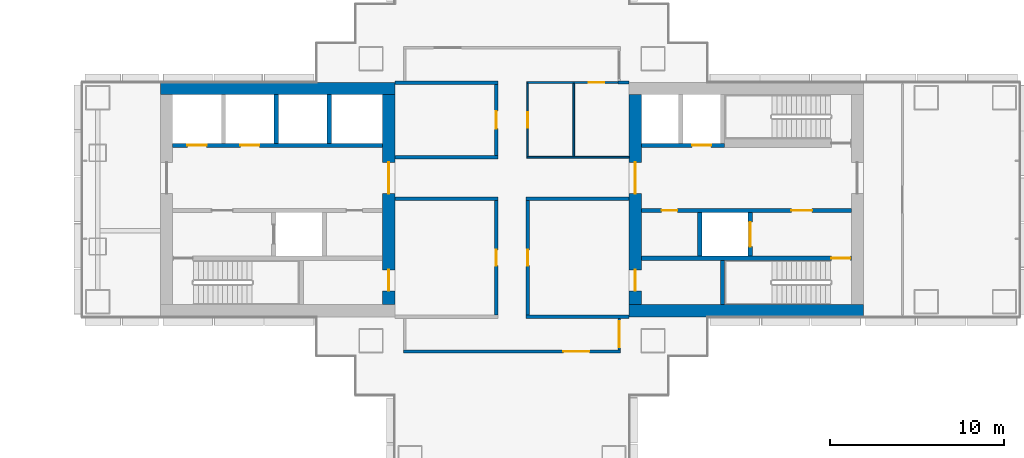
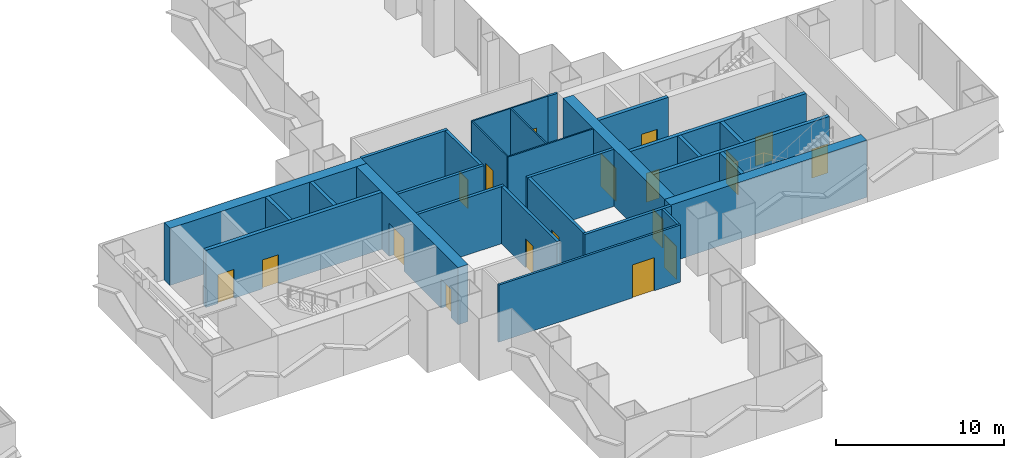
# One storey, part 16 of 22: 28 walls, 18 doors, 18 openings.
"""IFC4 building model written with IfcOpenShell, lengths in metres."""

from ifc_helpers import new_model, si_unit, direction, frame, frame_2d, origin, place, context, subcontext, project, spatial, rectangle, extrude, material, layer, layer_set, type_object, element, fill, save


model = new_model("IFC4")

# Units and contexts
model_context = context("Model", 3, precision=1e-05, world=origin(), true_north=direction((0.0, 1.0)))
body_context = subcontext(model_context, "Body", "Model", "MODEL_VIEW")
ifc_project = project(units=[si_unit("LENGTHUNIT", "METRE"), si_unit("AREAUNIT", "SQUARE_METRE"), si_unit("VOLUMEUNIT", "CUBIC_METRE"), si_unit("PLANEANGLEUNIT", "RADIAN"), si_unit("MASSUNIT", "GRAM", prefix="KILO")], contexts=[model_context])

# Site, building, storey
site_placement = place(None, origin())
site = spatial("IfcSite", under=ifc_project, at=site_placement, CompositionType="ELEMENT")
building_placement = place(site_placement, origin())
building = spatial("IfcBuilding", under=site, at=building_placement, Name="Shamsa Quay Exchange Towers", CompositionType="ELEMENT")
storey_placement = place(building_placement, frame((0.0, 0.0, 33.0)))
storey = spatial("IfcBuildingStorey", under=building, at=storey_placement, Name="L06", CompositionType="ELEMENT", Elevation=33.0)

# Wall
ifc_material_1 = material(Name="Concrete C80/95", Category="concrete")
ifc_layer_1 = layer(ifc_material_1, 0.699951171875)
ifc_layer_set_1 = layer_set([ifc_layer_1], Name="CORE WALL 700 C80/95")
wall_type_1 = type_object("IfcWallType", Name="CORE WALL 700 C80/95", PredefinedType="SHEAR", material=ifc_layer_set_1)
wall_1_placement = place(storey_placement, frame((13.5, 6.39990234375, 0.0)))
element("IfcWall", 1, at=wall_1_placement, inside=storey, type_object=wall_type_1, Name="Core wall T2A-R02-PN", PredefinedType="SHEAR", context=body_context, shape_type="SweptSolid", body=[
    extrude(rectangle(XDim=13.5, YDim=0.699951171875, at=frame_2d((6.75, 0.0))), origin(), (0.0, 0.0, 1.0), 4.14990234375),
])

# Wall, openings, doors
wall_2_placement = place(storey_placement, frame((26.64990234375, 6.050048828125, 0.0), z_axis=(0.0, 0.0, 1.0), x_axis=(0.0, -1.0, 0.0)))
wall_2 = element("IfcWall", 2, at=wall_2_placement, inside=storey, type_object=wall_type_1, Name="Core wall T2A-R02-PB", PredefinedType="SHEAR", context=body_context, shape_type="SweptSolid", body=[
    extrude(rectangle(XDim=12.10009765625, YDim=0.699951171875, at=frame_2d((6.050048828125, 0.0))), origin(), (0.0, 0.0, 1.0), 4.14990234375),
])
opening_1_placement = place(wall_2_placement, frame((10.10009765625, 0.0, 0.0)))
opening_1 = element("IfcOpeningElement", 3, at=opening_1_placement, cuts=wall_2, Name="Opening T2A-R02-RD02", PredefinedType="OPENING", context=body_context, shape_type="SweptSolid", body=[
    extrude(rectangle(XDim=1.199951171875, YDim=2.10009765625, at=frame_2d((0.60009765625, 1.050048828125))), frame((0.0, 0.35986328125, 0.0), z_axis=(0.0, -1.0, 0.0), x_axis=(1.0, 0.0, 0.0)), (0.0, 0.0, 1.0), 0.719970703125),
])
opening_2_placement = place(wall_2_placement, frame((3.89990234375, 0.0, 0.0)))
opening_2 = element("IfcOpeningElement", 4, at=opening_2_placement, cuts=wall_2, Name="Opening T2A-R02-LBD03", PredefinedType="OPENING", context=body_context, shape_type="SweptSolid", body=[
    extrude(rectangle(XDim=1.800048828125, YDim=2.39990234375, at=frame_2d((0.89990234375, 1.199951171875))), frame((0.0, 0.35986328125, 0.0), z_axis=(0.0, -1.0, 0.0), x_axis=(1.0, 0.0, 0.0)), (0.0, 0.0, 1.0), 0.719970703125),
])
ifc_material_2 = material(Name="Steel, fire rated", Category="steel")
door_type_1 = type_object("IfcDoorType", Name="LIFT LOBBY DOOR PAIR 1800", OperationType="DOUBLE_DOOR_SINGLE_SWING", PredefinedType="DOOR", material=ifc_material_2)
door_1_placement = place(opening_2_placement, origin())
door_1 = element("IfcDoor", 5, at=door_1_placement, inside=storey, type_object=door_type_1, Name="T2A-R02-LBD03", OperationType="DOUBLE_DOOR_SINGLE_SWING", OverallHeight=2.39990234375, OverallWidth=1.800048828125, PredefinedType="DOOR", context=body_context, shape_type="SweptSolid", body=[
    extrude(rectangle(XDim=1.800048828125, YDim=2.39990234375, at=frame_2d((0.89990234375, 1.199951171875))), frame((0.0, 0.02490234375, 0.0), z_axis=(0.0, -1.0, 0.0), x_axis=(1.0, 0.0, 0.0)), (0.0, 0.0, 1.0), 0.050048828125),
])
fill(opening_2, door_1)
door_type_2 = type_object("IfcDoorType", Name="RISER ACCESS DOOR 1200", OperationType="SINGLE_SWING_LEFT", PredefinedType="DOOR", material=ifc_material_2)
door_2_placement = place(opening_1_placement, origin())
door_2 = element("IfcDoor", 6, at=door_2_placement, inside=storey, type_object=door_type_2, Name="T2A-R02-RD02", OperationType="SINGLE_SWING_RIGHT", OverallHeight=2.10009765625, OverallWidth=1.199951171875, PredefinedType="DOOR", context=body_context, shape_type="SweptSolid", body=[
    extrude(rectangle(XDim=1.199951171875, YDim=2.10009765625, at=frame_2d((0.60009765625, 1.050048828125))), frame((0.0, 0.02490234375, 0.0), z_axis=(0.0, -1.0, 0.0), x_axis=(1.0, 0.0, 0.0)), (0.0, 0.0, 1.0), 0.050048828125),
])
fill(opening_1, door_2)

# Wall
wall_3_placement = place(storey_placement, frame((54.0, -6.39990234375, 0.0), z_axis=(0.0, 0.0, 1.0), x_axis=(-1.0, 0.0, 0.0)))
element("IfcWall", 7, at=wall_3_placement, inside=storey, type_object=wall_type_1, Name="Core wall T2B-R02-PS", PredefinedType="SHEAR", context=body_context, shape_type="SweptSolid", body=[
    extrude(rectangle(XDim=13.5, YDim=0.699951171875, at=frame_2d((6.75, 0.0))), origin(), (0.0, 0.0, 1.0), 4.14990234375),
])

# Wall, openings, doors
wall_4_placement = place(storey_placement, frame((40.85009765625, -6.050048828125, 0.0), z_axis=(0.0, 0.0, 1.0), x_axis=(0.0, 1.0, 0.0)))
wall_4 = element("IfcWall", 8, at=wall_4_placement, inside=storey, type_object=wall_type_1, Name="Core wall T2B-R02-PB", PredefinedType="SHEAR", context=body_context, shape_type="SweptSolid", body=[
    extrude(rectangle(XDim=12.10009765625, YDim=0.699951171875, at=frame_2d((6.050048828125, 0.0))), origin(), (0.0, 0.0, 1.0), 4.14990234375),
])
opening_3_placement = place(wall_4_placement, frame((0.800048828125, 0.0, 0.0)))
opening_3 = element("IfcOpeningElement", 9, at=opening_3_placement, cuts=wall_4, Name="Opening T2B-R02-RD02", PredefinedType="OPENING", context=body_context, shape_type="SweptSolid", body=[
    extrude(rectangle(XDim=1.199951171875, YDim=2.10009765625, at=frame_2d((0.60009765625, 1.050048828125))), frame((0.0, 0.35986328125, 0.0), z_axis=(0.0, -1.0, 0.0), x_axis=(1.0, 0.0, 0.0)), (0.0, 0.0, 1.0), 0.719970703125),
])
opening_4_placement = place(wall_4_placement, frame((6.39990234375, 0.0, 0.0)))
opening_4 = element("IfcOpeningElement", 10, at=opening_4_placement, cuts=wall_4, Name="Opening T2B-R02-LBD03", PredefinedType="OPENING", context=body_context, shape_type="SweptSolid", body=[
    extrude(rectangle(XDim=1.800048828125, YDim=2.39990234375, at=frame_2d((0.89990234375, 1.199951171875))), frame((0.0, 0.35986328125, 0.0), z_axis=(0.0, -1.0, 0.0), x_axis=(1.0, 0.0, 0.0)), (0.0, 0.0, 1.0), 0.719970703125),
])
door_3_placement = place(opening_4_placement, origin())
door_3 = element("IfcDoor", 11, at=door_3_placement, inside=storey, type_object=door_type_1, Name="T2B-R02-LBD03", OperationType="DOUBLE_DOOR_SINGLE_SWING", OverallHeight=2.39990234375, OverallWidth=1.800048828125, PredefinedType="DOOR", context=body_context, shape_type="SweptSolid", body=[
    extrude(rectangle(XDim=1.800048828125, YDim=2.39990234375, at=frame_2d((0.89990234375, 1.199951171875))), frame((0.0, 0.02490234375, 0.0), z_axis=(0.0, -1.0, 0.0), x_axis=(1.0, 0.0, 0.0)), (0.0, 0.0, 1.0), 0.050048828125),
])
fill(opening_4, door_3)
door_4_placement = place(opening_3_placement, origin())
door_4 = element("IfcDoor", 12, at=door_4_placement, inside=storey, type_object=door_type_2, Name="T2B-R02-RD02", OperationType="SINGLE_SWING_LEFT", OverallHeight=2.10009765625, OverallWidth=1.199951171875, PredefinedType="DOOR", context=body_context, shape_type="SweptSolid", body=[
    extrude(rectangle(XDim=1.199951171875, YDim=2.10009765625, at=frame_2d((0.60009765625, 1.050048828125))), frame((0.0, 0.02490234375, 0.0), z_axis=(0.0, -1.0, 0.0), x_axis=(1.0, 0.0, 0.0)), (0.0, 0.0, 1.0), 0.050048828125),
])
fill(opening_3, door_4)

# Wall
ifc_material_3 = material(Name="Gypsum board partition on metal studs")
ifc_layer_2 = layer(ifc_material_3, 0.10009765625)
ifc_layer_set_2 = layer_set([ifc_layer_2], Name="Partition 100 mm NOT RATED")
wall_type_2 = type_object("IfcWallType", Name="Partition 100 mm NOT RATED", PredefinedType="PARTITIONING", material=ifc_layer_set_2)
wall_5_placement = place(storey_placement, frame((34.600341796875, 2.4501953125, 0.0)))
element("IfcWall", 13, at=wall_5_placement, inside=storey, type_object=wall_type_2, Name="Partition T2-R02-W09", PredefinedType="PARTITIONING", context=body_context, shape_type="SweptSolid", body=[
    extrude(rectangle(XDim=5.899658203125, YDim=0.10009765625, at=frame_2d((2.94970703125, 0.0))), origin(), (0.0, 0.0, 1.0), 4.14990234375),
])

# Wall, opening, door
wall_6_placement = place(storey_placement, frame((39.999755859375, 6.75, 0.0), z_axis=(0.0, 0.0, 1.0), x_axis=(-1.0, 0.0, 0.0)))
wall_6 = element("IfcWall", 14, at=wall_6_placement, inside=storey, type_object=wall_type_2, Name="Partition T2-R02-W10", PredefinedType="PARTITIONING", context=body_context, shape_type="SweptSolid", body=[
    extrude(rectangle(XDim=5.3994140625, YDim=0.10009765625, at=frame_2d((2.69970703125, 0.0))), origin(), (0.0, 0.0, 1.0), 4.14990234375),
])
opening_5_placement = place(wall_6_placement, frame((0.93115234375, 0.0, 0.0)))
opening_5 = element("IfcOpeningElement", 15, at=opening_5_placement, cuts=wall_6, Name="Opening T2-R02-D07", PredefinedType="OPENING", context=body_context, shape_type="SweptSolid", body=[
    extrude(rectangle(XDim=0.89990234375, YDim=2.10009765625, at=frame_2d((0.449951171875, 1.050048828125))), frame((0.0, 0.06005859375, 0.0), z_axis=(0.0, -1.0, 0.0), x_axis=(1.0, 0.0, 0.0)), (0.0, 0.0, 1.0), 0.1201171875),
])
ifc_material_4 = material(Name="Timber door leaf in a metal frame", Category="wood")
door_type_3 = type_object("IfcDoorType", Name="Door 900x2100 NOT RATED", OperationType="NOTDEFINED", PredefinedType="DOOR", material=ifc_material_4)
door_5_placement = place(opening_5_placement, origin())
door_5 = element("IfcDoor", 16, at=door_5_placement, inside=storey, type_object=door_type_3, Name="Door T2-R02-D07", OperationType="SINGLE_SWING_RIGHT", OverallHeight=2.10009765625, OverallWidth=0.89990234375, PredefinedType="DOOR", context=body_context, shape_type="SweptSolid", body=[
    extrude(rectangle(XDim=0.89990234375, YDim=2.10009765625, at=frame_2d((0.449951171875, 1.050048828125))), frame((0.0, 0.02490234375, 0.0), z_axis=(0.0, -1.0, 0.0), x_axis=(1.0, 0.0, 0.0)), (0.0, 0.0, 1.0), 0.050048828125),
])
fill(opening_5, door_5)

wall_7_placement = place(storey_placement, frame((34.650390625, 6.699951171875, 0.0), z_axis=(0.0, 0.0, 1.0), x_axis=(0.0, -1.0, 0.0)))
wall_7 = element("IfcWall", 17, at=wall_7_placement, inside=storey, type_object=wall_type_2, Name="Partition T2-R02-W11", PredefinedType="PARTITIONING", context=body_context, shape_type="SweptSolid", body=[
    extrude(rectangle(XDim=4.19970703125, YDim=0.10009765625, at=frame_2d((2.099853515625, 0.0))), origin(), (0.0, 0.0, 1.0), 4.14990234375),
])
opening_6_placement = place(wall_7_placement, frame((1.64990234375, 0.0, 0.0)))
opening_6 = element("IfcOpeningElement", 18, at=opening_6_placement, cuts=wall_7, Name="Opening T2-R02-D06", PredefinedType="OPENING", context=body_context, shape_type="SweptSolid", body=[
    extrude(rectangle(XDim=0.89990234375, YDim=2.10009765625, at=frame_2d((0.449951171875, 1.050048828125))), frame((0.0, 0.06005859375, 0.0), z_axis=(0.0, -1.0, 0.0), x_axis=(1.0, 0.0, 0.0)), (0.0, 0.0, 1.0), 0.1201171875),
])
door_6_placement = place(opening_6_placement, origin())
door_6 = element("IfcDoor", 19, at=door_6_placement, inside=storey, type_object=door_type_3, Name="Door T2-R02-D06", OperationType="SINGLE_SWING_RIGHT", OverallHeight=2.10009765625, OverallWidth=0.89990234375, PredefinedType="DOOR", context=body_context, shape_type="SweptSolid", body=[
    extrude(rectangle(XDim=0.89990234375, YDim=2.10009765625, at=frame_2d((0.449951171875, 1.050048828125))), frame((0.0, 0.02490234375, 0.0), z_axis=(0.0, -1.0, 0.0), x_axis=(1.0, 0.0, 0.0)), (0.0, 0.0, 1.0), 0.050048828125),
])
fill(opening_6, door_6)

# Wall
wall_8_placement = place(storey_placement, frame((37.3125, 6.699951171875, 0.0), z_axis=(0.0, 0.0, 1.0), x_axis=(0.0, -1.0, 0.0)))
element("IfcWall", 20, at=wall_8_placement, inside=storey, type_object=wall_type_2, Name="Partition T2-R02-W20", PredefinedType="PARTITIONING", context=body_context, shape_type="SweptSolid", body=[
    extrude(rectangle(XDim=4.19970703125, YDim=0.10009765625, at=frame_2d((2.099853515625, 0.0))), origin(), (0.0, 0.0, 1.0), 4.14990234375),
])

# Wall, opening, door
ifc_layer_3 = layer(ifc_material_3, 0.14990234375)
ifc_layer_set_3 = layer_set([ifc_layer_3], Name="Partition 150 mm EI 60")
wall_type_3 = type_object("IfcWallType", Name="Partition 150 mm EI 60", PredefinedType="PARTITIONING", material=ifc_layer_set_3)
wall_9_placement = place(storey_placement, frame((39.9248046875, -8.675048828125, 0.0), z_axis=(0.0, 0.0, 1.0), x_axis=(0.0, 1.0, 0.0)))
wall_9 = element("IfcWall", 21, at=wall_9_placement, inside=storey, type_object=wall_type_3, Name="Partition T2-R02-W14", PredefinedType="PARTITIONING", context=body_context, shape_type="SweptSolid", body=[
    extrude(rectangle(XDim=1.824951171875, YDim=0.14990234375, at=frame_2d((0.91259765625, 0.0))), origin(), (0.0, 0.0, 1.0), 4.14990234375),
])
opening_7_placement = place(wall_9_placement, frame((0.175048828125, 0.0, 0.0)))
opening_7 = element("IfcOpeningElement", 22, at=opening_7_placement, cuts=wall_9, Name="Opening T2-R02-D03", PredefinedType="OPENING", context=body_context, shape_type="SweptSolid", body=[
    extrude(rectangle(XDim=1.5, YDim=2.39990234375, at=frame_2d((0.75, 1.199951171875))), frame((0.0, 0.0849609375, 0.0), z_axis=(0.0, -1.0, 0.0), x_axis=(1.0, 0.0, 0.0)), (0.0, 0.0, 1.0), 0.169921875),
])
door_type_4 = type_object("IfcDoorType", Name="Door 1500x2400 FD30S pair", OperationType="NOTDEFINED", PredefinedType="DOOR", material=ifc_material_4)
door_7_placement = place(opening_7_placement, origin())
door_7 = element("IfcDoor", 23, at=door_7_placement, inside=storey, type_object=door_type_4, Name="Door T2-R02-D03", OperationType="DOUBLE_DOOR_SINGLE_SWING", OverallHeight=2.39990234375, OverallWidth=1.5, PredefinedType="DOOR", context=body_context, shape_type="SweptSolid", body=[
    extrude(rectangle(XDim=1.5, YDim=2.39990234375, at=frame_2d((0.75, 1.199951171875))), frame((0.0, 0.02490234375, 0.0), z_axis=(0.0, -1.0, 0.0), x_axis=(1.0, 0.0, 0.0)), (0.0, 0.0, 1.0), 0.050048828125),
])
fill(opening_7, door_7)

wall_10_placement = place(storey_placement, frame((27.500244140625, -8.75, 0.0)))
wall_10 = element("IfcWall", 24, at=wall_10_placement, inside=storey, type_object=wall_type_3, Name="Partition T2-R02-W18", PredefinedType="PARTITIONING", context=body_context, shape_type="SweptSolid", body=[
    extrude(rectangle(XDim=12.49951171875, YDim=0.14990234375, at=frame_2d((6.249755859375, 0.0))), origin(), (0.0, 0.0, 1.0), 4.14990234375),
])
opening_8_placement = place(wall_10_placement, frame((9.20458984375, 0.0, 0.0)))
opening_8 = element("IfcOpeningElement", 25, at=opening_8_placement, cuts=wall_10, Name="Opening T2-R02-D02", PredefinedType="OPENING", context=body_context, shape_type="SweptSolid", body=[
    extrude(rectangle(XDim=1.5, YDim=2.39990234375, at=frame_2d((0.75, 1.199951171875))), frame((0.0, 0.0849609375, 0.0), z_axis=(0.0, -1.0, 0.0), x_axis=(1.0, 0.0, 0.0)), (0.0, 0.0, 1.0), 0.169921875),
])
door_8_placement = place(opening_8_placement, origin())
door_8 = element("IfcDoor", 26, at=door_8_placement, inside=storey, type_object=door_type_4, Name="Door T2-R02-D02", OperationType="DOUBLE_DOOR_SINGLE_SWING", OverallHeight=2.39990234375, OverallWidth=1.5, PredefinedType="DOOR", context=body_context, shape_type="SweptSolid", body=[
    extrude(rectangle(XDim=1.5, YDim=2.39990234375, at=frame_2d((0.75, 1.199951171875))), frame((0.0, 0.02490234375, 0.0), z_axis=(0.0, -1.0, 0.0), x_axis=(1.0, 0.0, 0.0)), (0.0, 0.0, 1.0), 0.050048828125),
])
fill(opening_8, door_8)

# Walls
wall_11_placement = place(storey_placement, frame((40.5, 6.75, 0.0), z_axis=(0.0, 0.0, 1.0), x_axis=(-1.0, 0.0, 0.0)))
element("IfcWall", 27, at=wall_11_placement, inside=storey, type_object=wall_type_3, Name="Partition T2-R02-W21", PredefinedType="PARTITIONING", context=body_context, shape_type="SweptSolid", body=[
    extrude(rectangle(XDim=0.650146484375, YDim=0.14990234375, at=frame_2d((0.3251953125, 0.0))), origin(), (0.0, 0.0, 1.0), 4.14990234375),
])
ifc_layer_4 = layer(ifc_material_3, 0.199951171875)
ifc_layer_set_4 = layer_set([ifc_layer_4], Name="Partition 200 mm EI 120")
wall_type_4 = type_object("IfcWallType", Name="Partition 200 mm EI 120", PredefinedType="PARTITIONING", material=ifc_layer_set_4)
wall_12_placement = place(storey_placement, frame((32.94970703125, 6.75, 0.0), z_axis=(0.0, 0.0, 1.0), x_axis=(-1.0, 0.0, 0.0)))
element("IfcWall", 28, at=wall_12_placement, inside=storey, type_object=wall_type_4, Name="Partition T2-R02-W01", PredefinedType="PARTITIONING", context=body_context, shape_type="SweptSolid", body=[
    extrude(rectangle(XDim=5.94970703125, YDim=0.199951171875, at=frame_2d((2.974853515625, 0.0))), origin(), (0.0, 0.0, 1.0), 4.14990234375),
])

# Wall, opening, door
wall_13_placement = place(storey_placement, frame((32.849609375, 2.55029296875, 0.0), z_axis=(0.0, 0.0, 1.0), x_axis=(0.0, 1.0, 0.0)))
wall_13 = element("IfcWall", 29, at=wall_13_placement, inside=storey, type_object=wall_type_4, Name="Partition T2-R02-W02", PredefinedType="PARTITIONING", context=body_context, shape_type="SweptSolid", body=[
    extrude(rectangle(XDim=4.099609375, YDim=0.199951171875, at=frame_2d((2.0498046875, 0.0))), origin(), (0.0, 0.0, 1.0), 4.14990234375),
])
opening_9_placement = place(wall_13_placement, frame((1.5498046875, 0.0, 0.0)))
opening_9 = element("IfcOpeningElement", 30, at=opening_9_placement, cuts=wall_13, Name="Opening T2-R02-D09", PredefinedType="OPENING", context=body_context, shape_type="SweptSolid", body=[
    extrude(rectangle(XDim=1.0, YDim=2.10009765625, at=frame_2d((0.5, 1.050048828125))), frame((0.0, 0.10986328125, 0.0), z_axis=(0.0, -1.0, 0.0), x_axis=(1.0, 0.0, 0.0)), (0.0, 0.0, 1.0), 0.219970703125),
])
door_type_5 = type_object("IfcDoorType", Name="Door 1000x2100 FD60", OperationType="NOTDEFINED", PredefinedType="DOOR", material=ifc_material_4)
door_9_placement = place(opening_9_placement, origin())
door_9 = element("IfcDoor", 31, at=door_9_placement, inside=storey, type_object=door_type_5, Name="Door T2-R02-D09", OperationType="SINGLE_SWING_RIGHT", OverallHeight=2.10009765625, OverallWidth=1.0, PredefinedType="DOOR", context=body_context, shape_type="SweptSolid", body=[
    extrude(rectangle(XDim=1.0, YDim=2.10009765625, at=frame_2d((0.5, 1.050048828125))), frame((0.0, 0.02490234375, 0.0), z_axis=(0.0, -1.0, 0.0), x_axis=(1.0, 0.0, 0.0)), (0.0, 0.0, 1.0), 0.050048828125),
])
fill(opening_9, door_9)

wall_14_placement = place(storey_placement, frame((32.849609375, -6.64990234375, 0.0), z_axis=(0.0, 0.0, 1.0), x_axis=(0.0, 1.0, 0.0)))
wall_14 = element("IfcWall", 32, at=wall_14_placement, inside=storey, type_object=wall_type_4, Name="Partition T2-R02-W03", PredefinedType="PARTITIONING", context=body_context, shape_type="SweptSolid", body=[
    extrude(rectangle(XDim=6.599609375, YDim=0.199951171875, at=frame_2d((3.2998046875, 0.0))), origin(), (0.0, 0.0, 1.0), 4.14990234375),
])
opening_10_placement = place(wall_14_placement, frame((2.849853515625, 0.0, 0.0)))
opening_10 = element("IfcOpeningElement", 33, at=opening_10_placement, cuts=wall_14, Name="Opening T2-R02-D08", PredefinedType="OPENING", context=body_context, shape_type="SweptSolid", body=[
    extrude(rectangle(XDim=0.89990234375, YDim=2.10009765625, at=frame_2d((0.449951171875, 1.050048828125))), frame((0.0, 0.10986328125, 0.0), z_axis=(0.0, -1.0, 0.0), x_axis=(1.0, 0.0, 0.0)), (0.0, 0.0, 1.0), 0.219970703125),
])
door_type_6 = type_object("IfcDoorType", Name="Door 900x2100 FD60", OperationType="NOTDEFINED", PredefinedType="DOOR", material=ifc_material_4)
door_10_placement = place(opening_10_placement, origin())
door_10 = element("IfcDoor", 34, at=door_10_placement, inside=storey, type_object=door_type_6, Name="Door T2-R02-D08", OperationType="SINGLE_SWING_RIGHT", OverallHeight=2.10009765625, OverallWidth=0.89990234375, PredefinedType="DOOR", context=body_context, shape_type="SweptSolid", body=[
    extrude(rectangle(XDim=0.89990234375, YDim=2.10009765625, at=frame_2d((0.449951171875, 1.050048828125))), frame((0.0, 0.02490234375, 0.0), z_axis=(0.0, -1.0, 0.0), x_axis=(1.0, 0.0, 0.0)), (0.0, 0.0, 1.0), 0.050048828125),
])
fill(opening_10, door_10)

# Walls
wall_15_placement = place(storey_placement, frame((27.0, 2.4501953125, 0.0)))
element("IfcWall", 35, at=wall_15_placement, inside=storey, type_object=wall_type_4, Name="Partition T2-R02-W04", PredefinedType="PARTITIONING", context=body_context, shape_type="SweptSolid", body=[
    extrude(rectangle(XDim=5.94970703125, YDim=0.199951171875, at=frame_2d((2.974853515625, 0.0))), origin(), (0.0, 0.0, 1.0), 4.14990234375),
])
for number, where, z_axis, x_axis, name in (
    (36, (32.94970703125, 0.0498046875, 0.0), (0.0, 0.0, 1.0), (-1.0, 0.0, 0.0), "Partition T2-R02-W05"),
    (37, (40.5, 0.0498046875, 0.0), (0.0, 0.0, 1.0), (-1.0, 0.0, 0.0), "Partition T2-R02-W06"),
):
    element("IfcWall", number, at=place(storey_placement, frame(where, z_axis=z_axis, x_axis=x_axis)), inside=storey, type_object=wall_type_4, Name=name, PredefinedType="PARTITIONING", context=body_context, shape_type="SweptSolid", body=[
        extrude(rectangle(XDim=5.94970703125, YDim=0.199951171875, at=frame_2d((2.974853515625, 0.0))), origin(), (0.0, 0.0, 1.0), 4.14990234375),
    ])
wall_16_placement = place(storey_placement, frame((34.55029296875, -6.75, 0.0)))
element("IfcWall", 38, at=wall_16_placement, inside=storey, type_object=wall_type_4, Name="Partition T2-R02-W07", PredefinedType="PARTITIONING", context=body_context, shape_type="SweptSolid", body=[
    extrude(rectangle(XDim=5.94970703125, YDim=0.199951171875, at=frame_2d((2.974853515625, 0.0))), origin(), (0.0, 0.0, 1.0), 4.14990234375),
])

# Wall, opening, door
wall_17_placement = place(storey_placement, frame((34.650390625, -0.05029296875, 0.0), z_axis=(0.0, 0.0, 1.0), x_axis=(0.0, -1.0, 0.0)))
wall_17 = element("IfcWall", 39, at=wall_17_placement, inside=storey, type_object=wall_type_4, Name="Partition T2-R02-W12", PredefinedType="PARTITIONING", context=body_context, shape_type="SweptSolid", body=[
    extrude(rectangle(XDim=6.599609375, YDim=0.199951171875, at=frame_2d((3.2998046875, 0.0))), origin(), (0.0, 0.0, 1.0), 4.14990234375),
])
opening_11_placement = place(wall_17_placement, frame((2.849853515625, 0.0, 0.0)))
opening_11 = element("IfcOpeningElement", 40, at=opening_11_placement, cuts=wall_17, Name="Opening T2-R02-D05", PredefinedType="OPENING", context=body_context, shape_type="SweptSolid", body=[
    extrude(rectangle(XDim=0.89990234375, YDim=2.10009765625, at=frame_2d((0.449951171875, 1.050048828125))), frame((0.0, 0.10986328125, 0.0), z_axis=(0.0, -1.0, 0.0), x_axis=(1.0, 0.0, 0.0)), (0.0, 0.0, 1.0), 0.219970703125),
])
door_11_placement = place(opening_11_placement, origin())
door_11 = element("IfcDoor", 41, at=door_11_placement, inside=storey, type_object=door_type_6, Name="Door T2-R02-D05", OperationType="SINGLE_SWING_RIGHT", OverallHeight=2.10009765625, OverallWidth=0.89990234375, PredefinedType="DOOR", context=body_context, shape_type="SweptSolid", body=[
    extrude(rectangle(XDim=0.89990234375, YDim=2.10009765625, at=frame_2d((0.449951171875, 1.050048828125))), frame((0.0, 0.02490234375, 0.0), z_axis=(0.0, -1.0, 0.0), x_axis=(1.0, 0.0, 0.0)), (0.0, 0.0, 1.0), 0.050048828125),
])
fill(opening_11, door_11)

# Wall, openings, doors
ifc_material_5 = material(Name="Concrete C50/60", Category="concrete")
ifc_layer_5 = layer(ifc_material_5, 0.25)
ifc_layer_set_5 = layer_set([ifc_layer_5], Name="SHAFT WALL 250 C50/60")
wall_type_5 = type_object("IfcWallType", Name="SHAFT WALL 250 C50/60", PredefinedType="SHEAR", material=ifc_layer_set_5)
wall_18_placement = place(storey_placement, frame((14.199951171875, 3.125, 0.0)))
wall_18 = element("IfcWall", 42, at=wall_18_placement, inside=storey, type_object=wall_type_5, Name="Shaft wall T2A-R02-N", PredefinedType="SHEAR", context=body_context, shape_type="SweptSolid", body=[
    extrude(rectangle(XDim=12.10009765625, YDim=0.25, at=frame_2d((6.050048828125, 0.0))), origin(), (0.0, 0.0, 1.0), 4.14990234375),
])
opening_12_placement = place(wall_18_placement, frame((0.85009765625, 0.0, 0.0)))
opening_12 = element("IfcOpeningElement", 43, at=opening_12_placement, cuts=wall_18, Name="Opening T2A-R02-LD08", PredefinedType="OPENING", context=body_context, shape_type="SweptSolid", body=[
    extrude(rectangle(XDim=1.10009765625, YDim=2.10009765625, at=frame_2d((0.550048828125, 1.050048828125))), frame((0.0, 0.135009765625, 0.0), z_axis=(0.0, -1.0, 0.0), x_axis=(1.0, 0.0, 0.0)), (0.0, 0.0, 1.0), 0.27001953125),
])
opening_13_placement = place(wall_18_placement, frame((3.89990234375, 0.0, 0.0)))
opening_13 = element("IfcOpeningElement", 44, at=opening_13_placement, cuts=wall_18, Name="Opening T2A-R02-LD09", PredefinedType="OPENING", context=body_context, shape_type="SweptSolid", body=[
    extrude(rectangle(XDim=1.10009765625, YDim=2.10009765625, at=frame_2d((0.550048828125, 1.050048828125))), frame((0.0, 0.135009765625, 0.0), z_axis=(0.0, -1.0, 0.0), x_axis=(1.0, 0.0, 0.0)), (0.0, 0.0, 1.0), 0.27001953125),
])
door_type_7 = type_object("IfcDoorType", Name="LANDING DOOR 1100", OperationType="SLIDING_TO_LEFT", PredefinedType="DOOR", material=ifc_material_2)
door_12_placement = place(opening_12_placement, origin())
door_12 = element("IfcDoor", 45, at=door_12_placement, inside=storey, type_object=door_type_7, Name="T2A-R02-LD08", OperationType="SLIDING_TO_LEFT", OverallHeight=2.10009765625, OverallWidth=1.10009765625, PredefinedType="DOOR", context=body_context, shape_type="SweptSolid", body=[
    extrude(rectangle(XDim=1.10009765625, YDim=2.10009765625, at=frame_2d((0.550048828125, 1.050048828125))), frame((0.0, 0.02490234375, 0.0), z_axis=(0.0, -1.0, 0.0), x_axis=(1.0, 0.0, 0.0)), (0.0, 0.0, 1.0), 0.050048828125),
])
fill(opening_12, door_12)
door_13_placement = place(opening_13_placement, origin())
door_13 = element("IfcDoor", 46, at=door_13_placement, inside=storey, type_object=door_type_7, Name="T2A-R02-LD09", OperationType="SLIDING_TO_LEFT", OverallHeight=2.10009765625, OverallWidth=1.10009765625, PredefinedType="DOOR", context=body_context, shape_type="SweptSolid", body=[
    extrude(rectangle(XDim=1.10009765625, YDim=2.10009765625, at=frame_2d((0.550048828125, 1.050048828125))), frame((0.0, 0.02490234375, 0.0), z_axis=(0.0, -1.0, 0.0), x_axis=(1.0, 0.0, 0.0)), (0.0, 0.0, 1.0), 0.050048828125),
])
fill(opening_13, door_13)

# Walls
for number, where, z_axis, x_axis, name in (
    (47, (20.175048828125, 3.25, 0.0), (0.0, 0.0, 1.0), (0.0, 1.0, 0.0), "Shaft wall T2A-R02-D1"),
    (48, (23.22509765625, 3.25, 0.0), (0.0, 0.0, 1.0), (0.0, 1.0, 0.0), "Shaft wall T2A-R02-D2"),
):
    element("IfcWall", number, at=place(storey_placement, frame(where, z_axis=z_axis, x_axis=x_axis)), inside=storey, type_object=wall_type_5, Name=name, PredefinedType="SHEAR", context=body_context, shape_type="SweptSolid", body=[
        extrude(rectangle(XDim=2.800048828125, YDim=0.25, at=frame_2d((1.39990234375, 0.0))), origin(), (0.0, 0.0, 1.0), 4.14990234375),
    ])

# Wall, opening, door
wall_19_placement = place(storey_placement, frame((53.300048828125, -3.375, 0.0), z_axis=(0.0, 0.0, 1.0), x_axis=(-1.0, 0.0, 0.0)))
wall_19 = element("IfcWall", 49, at=wall_19_placement, inside=storey, type_object=wall_type_5, Name="Shaft wall T2B-R02-STL", PredefinedType="SHEAR", context=body_context, shape_type="SweptSolid", body=[
    extrude(rectangle(XDim=12.10009765625, YDim=0.25, at=frame_2d((6.050048828125, 0.0))), origin(), (0.0, 0.0, 1.0), 4.14990234375),
])
opening_14_placement = place(wall_19_placement, frame((0.050048828125, 0.0, 0.0)))
opening_14 = element("IfcOpeningElement", 50, at=opening_14_placement, cuts=wall_19, Name="Opening T2B-R02-SD04", PredefinedType="OPENING", context=body_context, shape_type="SweptSolid", body=[
    extrude(rectangle(XDim=1.10009765625, YDim=2.10009765625, at=frame_2d((0.550048828125, 1.050048828125))), frame((0.0, 0.135009765625, 0.0), z_axis=(0.0, -1.0, 0.0), x_axis=(1.0, 0.0, 0.0)), (0.0, 0.0, 1.0), 0.27001953125),
])
door_type_8 = type_object("IfcDoorType", Name="STAIR DOOR 1100", OperationType="SINGLE_SWING_LEFT", PredefinedType="DOOR", material=ifc_material_2)
door_14_placement = place(opening_14_placement, origin())
door_14 = element("IfcDoor", 51, at=door_14_placement, inside=storey, type_object=door_type_8, Name="T2B-R02-SD04", OperationType="SINGLE_SWING_LEFT", OverallHeight=2.10009765625, OverallWidth=1.10009765625, PredefinedType="DOOR", context=body_context, shape_type="SweptSolid", body=[
    extrude(rectangle(XDim=1.10009765625, YDim=2.10009765625, at=frame_2d((0.550048828125, 1.050048828125))), frame((0.0, 0.02490234375, 0.0), z_axis=(0.0, -1.0, 0.0), x_axis=(1.0, 0.0, 0.0)), (0.0, 0.0, 1.0), 0.050048828125),
])
fill(opening_14, door_14)

# Wall
wall_20_placement = place(storey_placement, frame((45.875, -6.050048828125, 0.0), z_axis=(0.0, 0.0, 1.0), x_axis=(0.0, 1.0, 0.0)))
element("IfcWall", 52, at=wall_20_placement, inside=storey, type_object=wall_type_5, Name="Shaft wall T2B-R02-STF", PredefinedType="SHEAR", context=body_context, shape_type="SweptSolid", body=[
    extrude(rectangle(XDim=2.550048828125, YDim=0.25, at=frame_2d((1.27490234375, 0.0))), origin(), (0.0, 0.0, 1.0), 4.14990234375),
])

# Wall, openings, doors
wall_21_placement = place(storey_placement, frame((53.300048828125, -0.625, 0.0), z_axis=(0.0, 0.0, 1.0), x_axis=(-1.0, 0.0, 0.0)))
wall_21 = element("IfcWall", 53, at=wall_21_placement, inside=storey, type_object=wall_type_5, Name="Shaft wall T2B-R02-B", PredefinedType="SHEAR", context=body_context, shape_type="SweptSolid", body=[
    extrude(rectangle(XDim=12.10009765625, YDim=0.25, at=frame_2d((6.050048828125, 0.0))), origin(), (0.0, 0.0, 1.0), 4.14990234375),
])
opening_15_placement = place(wall_21_placement, frame((2.25, 0.0, 0.0)))
opening_15 = element("IfcOpeningElement", 54, at=opening_15_placement, cuts=wall_21, Name="Opening T2B-R02-FD05", PredefinedType="OPENING", context=body_context, shape_type="SweptSolid", body=[
    extrude(rectangle(XDim=1.199951171875, YDim=2.10009765625, at=frame_2d((0.60009765625, 1.050048828125))), frame((0.0, 0.135009765625, 0.0), z_axis=(0.0, -1.0, 0.0), x_axis=(1.0, 0.0, 0.0)), (0.0, 0.0, 1.0), 0.27001953125),
])
opening_16_placement = place(wall_21_placement, frame((10.02490234375, 0.0, 0.0)))
opening_16 = element("IfcOpeningElement", 55, at=opening_16_placement, cuts=wall_21, Name="Opening T2B-R02-SV06", PredefinedType="OPENING", context=body_context, shape_type="SweptSolid", body=[
    extrude(rectangle(XDim=0.89990234375, YDim=2.10009765625, at=frame_2d((0.449951171875, 1.050048828125))), frame((0.0, 0.135009765625, 0.0), z_axis=(0.0, -1.0, 0.0), x_axis=(1.0, 0.0, 0.0)), (0.0, 0.0, 1.0), 0.27001953125),
])
door_type_9 = type_object("IfcDoorType", Name="FIRE SERVICE LOBBY DOOR 1200", OperationType="SINGLE_SWING_LEFT", PredefinedType="DOOR", material=ifc_material_2)
door_15_placement = place(opening_15_placement, origin())
door_15 = element("IfcDoor", 56, at=door_15_placement, inside=storey, type_object=door_type_9, Name="T2B-R02-FD05", OperationType="SINGLE_SWING_LEFT", OverallHeight=2.10009765625, OverallWidth=1.199951171875, PredefinedType="DOOR", context=body_context, shape_type="SweptSolid", body=[
    extrude(rectangle(XDim=1.199951171875, YDim=2.10009765625, at=frame_2d((0.60009765625, 1.050048828125))), frame((0.0, 0.02490234375, 0.0), z_axis=(0.0, -1.0, 0.0), x_axis=(1.0, 0.0, 0.0)), (0.0, 0.0, 1.0), 0.050048828125),
])
fill(opening_15, door_15)
door_type_10 = type_object("IfcDoorType", Name="SERVICE ROOM DOOR 900", OperationType="SINGLE_SWING_LEFT", PredefinedType="DOOR", material=ifc_material_2)
door_16_placement = place(opening_16_placement, origin())
door_16 = element("IfcDoor", 57, at=door_16_placement, inside=storey, type_object=door_type_10, Name="T2B-R02-SV06", OperationType="SINGLE_SWING_RIGHT", OverallHeight=2.10009765625, OverallWidth=0.89990234375, PredefinedType="DOOR", context=body_context, shape_type="SweptSolid", body=[
    extrude(rectangle(XDim=0.89990234375, YDim=2.10009765625, at=frame_2d((0.449951171875, 1.050048828125))), frame((0.0, 0.02490234375, 0.0), z_axis=(0.0, -1.0, 0.0), x_axis=(1.0, 0.0, 0.0)), (0.0, 0.0, 1.0), 0.050048828125),
])
fill(opening_16, door_16)

# Wall, opening, door
wall_22_placement = place(storey_placement, frame((47.47509765625, -3.25, 0.0), z_axis=(0.0, 0.0, 1.0), x_axis=(0.0, 1.0, 0.0)))
wall_22 = element("IfcWall", 58, at=wall_22_placement, inside=storey, type_object=wall_type_5, Name="Shaft wall T2B-R02-FFF", PredefinedType="SHEAR", context=body_context, shape_type="SweptSolid", body=[
    extrude(rectangle(XDim=2.5, YDim=0.25, at=frame_2d((1.25, 0.0))), origin(), (0.0, 0.0, 1.0), 4.14990234375),
])
opening_17_placement = place(wall_22_placement, frame((0.550048828125, 0.0, 0.0)))
opening_17 = element("IfcOpeningElement", 59, at=opening_17_placement, cuts=wall_22, Name="Opening T2B-R02-LDG07", PredefinedType="OPENING", context=body_context, shape_type="SweptSolid", body=[
    extrude(rectangle(XDim=1.39990234375, YDim=2.39990234375, at=frame_2d((0.699951171875, 1.199951171875))), frame((0.0, 0.135009765625, 0.0), z_axis=(0.0, -1.0, 0.0), x_axis=(1.0, 0.0, 0.0)), (0.0, 0.0, 1.0), 0.27001953125),
])
door_type_11 = type_object("IfcDoorType", Name="GOODS LIFT LANDING DOOR 1400", OperationType="SLIDING_TO_LEFT", PredefinedType="DOOR", material=ifc_material_2)
door_17_placement = place(opening_17_placement, origin())
door_17 = element("IfcDoor", 60, at=door_17_placement, inside=storey, type_object=door_type_11, Name="T2B-R02-LDG07", OperationType="SLIDING_TO_LEFT", OverallHeight=2.39990234375, OverallWidth=1.39990234375, PredefinedType="DOOR", context=body_context, shape_type="SweptSolid", body=[
    extrude(rectangle(XDim=1.39990234375, YDim=2.39990234375, at=frame_2d((0.699951171875, 1.199951171875))), frame((0.0, 0.02490234375, 0.0), z_axis=(0.0, -1.0, 0.0), x_axis=(1.0, 0.0, 0.0)), (0.0, 0.0, 1.0), 0.050048828125),
])
fill(opening_17, door_17)

# Wall
wall_23_placement = place(storey_placement, frame((44.574951171875, -3.25, 0.0), z_axis=(0.0, 0.0, 1.0), x_axis=(0.0, 1.0, 0.0)))
element("IfcWall", 61, at=wall_23_placement, inside=storey, type_object=wall_type_5, Name="Shaft wall T2B-R02-FFB", PredefinedType="SHEAR", context=body_context, shape_type="SweptSolid", body=[
    extrude(rectangle(XDim=2.5, YDim=0.25, at=frame_2d((1.25, 0.0))), origin(), (0.0, 0.0, 1.0), 4.14990234375),
])

# Wall, opening, door
wall_24_placement = place(storey_placement, frame((46.0, 3.125, 0.0), z_axis=(0.0, 0.0, 1.0), x_axis=(-1.0, 0.0, 0.0)))
wall_24 = element("IfcWall", 62, at=wall_24_placement, inside=storey, type_object=wall_type_5, Name="Shaft wall T2B-R02-N2", PredefinedType="SHEAR", context=body_context, shape_type="SweptSolid", body=[
    extrude(rectangle(XDim=4.800048828125, YDim=0.25, at=frame_2d((2.39990234375, 0.0))), origin(), (0.0, 0.0, 1.0), 4.14990234375),
])
opening_18_placement = place(wall_24_placement, frame((0.77490234375, 0.0, 0.0)))
opening_18 = element("IfcOpeningElement", 63, at=opening_18_placement, cuts=wall_24, Name="Opening T2B-R02-LD09", PredefinedType="OPENING", context=body_context, shape_type="SweptSolid", body=[
    extrude(rectangle(XDim=1.10009765625, YDim=2.10009765625, at=frame_2d((0.550048828125, 1.050048828125))), frame((0.0, 0.135009765625, 0.0), z_axis=(0.0, -1.0, 0.0), x_axis=(1.0, 0.0, 0.0)), (0.0, 0.0, 1.0), 0.27001953125),
])
door_18_placement = place(opening_18_placement, origin())
door_18 = element("IfcDoor", 64, at=door_18_placement, inside=storey, type_object=door_type_7, Name="T2B-R02-LD09", OperationType="SLIDING_TO_LEFT", OverallHeight=2.10009765625, OverallWidth=1.10009765625, PredefinedType="DOOR", context=body_context, shape_type="SweptSolid", body=[
    extrude(rectangle(XDim=1.10009765625, YDim=2.10009765625, at=frame_2d((0.550048828125, 1.050048828125))), frame((0.0, 0.02490234375, 0.0), z_axis=(0.0, -1.0, 0.0), x_axis=(1.0, 0.0, 0.0)), (0.0, 0.0, 1.0), 0.050048828125),
])
fill(opening_18, door_18)

save(model, "model.ifc")
